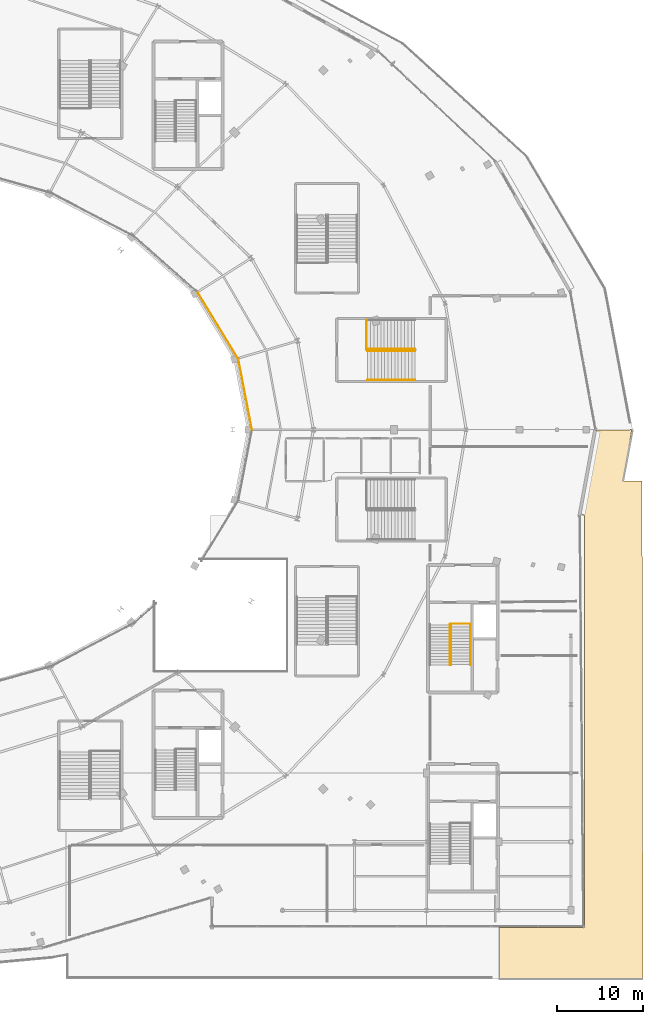
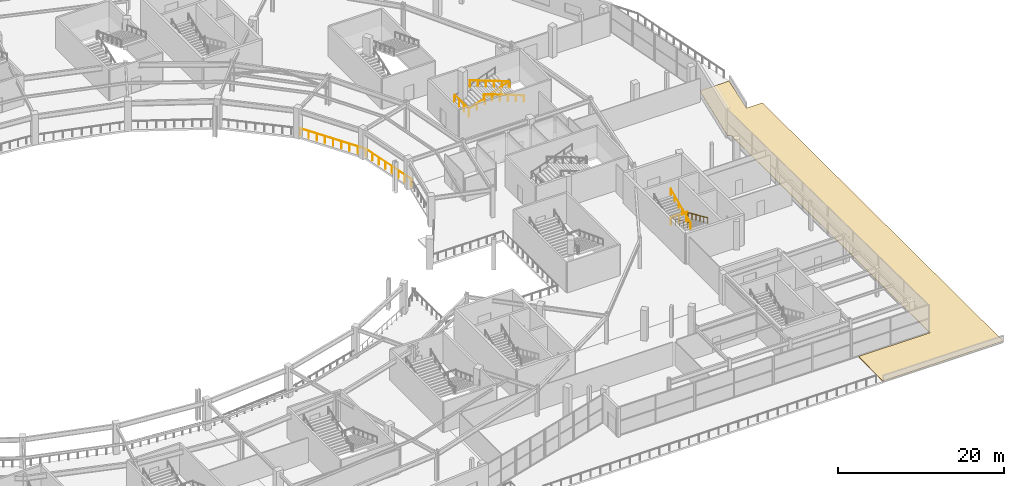
# One storey, part 105 of 107: 10 railings, 1 covering.
"""IFC4 building model written with IfcOpenShell, lengths in metres."""

from ifc_helpers import new_model, si_unit, direction, frame, origin, origin_2d, place, context, subcontext, project, spatial, polyline, circle, outline, extrude, material, layer, layer_set, type_object, element, save


model = new_model("IFC4")

# Units and contexts
model_context = context("Model", 3, precision=1e-05, world=origin(), true_north=direction((0.0, 1.0)))
body_context = subcontext(model_context, "Body", "Model", "MODEL_VIEW")
ifc_project = project(units=[si_unit("LENGTHUNIT", "METRE"), si_unit("AREAUNIT", "SQUARE_METRE"), si_unit("VOLUMEUNIT", "CUBIC_METRE"), si_unit("PLANEANGLEUNIT", "RADIAN"), si_unit("MASSUNIT", "GRAM", prefix="KILO")], contexts=[model_context])

# Site, building, storey
site_placement = place(None, origin())
site = spatial("IfcSite", under=ifc_project, at=site_placement, CompositionType="ELEMENT")
building_placement = place(site_placement, origin())
building = spatial("IfcBuilding", under=site, at=building_placement, Name="Kalgoora Escarpment Arena", CompositionType="ELEMENT")
storey_placement = place(building_placement, frame((0.0, 0.0, 5.39990234375)))
storey = spatial("IfcBuildingStorey", under=building, at=storey_placement, Name="L01", CompositionType="ELEMENT", Elevation=5.39990234375)

# Covering
ifc_material_1 = material(Name="Waterproof ballast roofing membrane")
ifc_layer = layer(ifc_material_1, 0.06005859375)
ifc_layer_set = layer_set([ifc_layer], Name="COV-ROOF-POD")
covering_type = type_object("IfcCoveringType", Name="COV-ROOF-POD", PredefinedType="ROOFING", material=ifc_layer_set)
covering_placement = place(storey_placement, origin())
element("IfcCovering", 1, at=covering_placement, inside=storey, type_object=covering_type, Name="L01 stepped podium roof membrane 1", PredefinedType="ROOFING", context=body_context, shape_type="SweptSolid", body=[
    extrude(outline(polyline([(178.0, 6.0), (178.0, 53.99755859375), (177.590576171875, 54.1083984375), (179.399658203125, 63.95458984375), (183.4892578125, 63.99951171875), (182.470947265625, 58.0), (184.699951171875, 58.0), (184.798095703125, 0.08056640625), (168.01171875, 0.052978515625), (168.052978515625, 5.98828125), (178.0, 6.0)])), origin(), (0.0, 0.0, 1.0), 0.06005859375),
])

# Railings
ifc_material_2 = material(Name="Galvanised & powdercoated tubular steel", Category="steel")
railing_type_1 = type_object("IfcRailingType", Name="RAL-GUARD-1120", PredefinedType="GUARDRAIL", material=ifc_material_2)
railing_1_placement = place(storey_placement, frame((164.68994140625, 41.389892578125, 0.0)))
element("IfcRailing", 2, at=railing_1_placement, inside=storey, type_object=railing_type_1, Name="ST07 L01 floor landing well guard", PredefinedType="GUARDRAIL", context=body_context, shape_type="SweptSolid", body=[
    extrude(circle(Radius=0.02392578125, at=origin_2d()), frame((0.0, 0.0, 1.09619140625), z_axis=(-1.0, 0.0, 0.0), x_axis=(0.0, -1.0, 0.0)), (0.0, 0.0, 1.0), 2.33984375),
    extrude(circle(Radius=0.02099609375, at=origin_2d()), origin(), (0.0, 0.0, 1.0), 1.072021484375),
    extrude(circle(Radius=0.02099609375, at=origin_2d()), frame((-1.169921875, 0.0, 0.0)), (0.0, 0.0, 1.0), 1.072021484375),
    extrude(circle(Radius=0.02099609375, at=origin_2d()), frame((-2.33984375, 0.0, 0.0)), (0.0, 0.0, 1.0), 1.072021484375),
])
railing_2_placement = place(storey_placement, frame((152.610107421875, 76.7900390625, 0.0)))
element("IfcRailing", 3, at=railing_2_placement, inside=storey, type_object=railing_type_1, Name="ST21 L01 floor landing well guard", PredefinedType="GUARDRAIL", context=body_context, shape_type="SweptSolid", body=[
    extrude(circle(Radius=0.02392578125, at=origin_2d()), frame((0.0, 0.0, 1.09619140625), z_axis=(0.0, -1.0, 0.0), x_axis=(1.0, 0.0, 0.0)), (0.0, 0.0, 1.0), 3.489990234375),
    extrude(circle(Radius=0.02099609375, at=origin_2d()), origin(), (0.0, 0.0, 1.0), 1.072021484375),
    extrude(circle(Radius=0.02099609375, at=origin_2d()), frame((0.0, -1.163330078125, 0.0)), (0.0, 0.0, 1.0), 1.072021484375),
    extrude(circle(Radius=0.02099609375, at=origin_2d()), frame((0.0, -2.32666015625, 0.0)), (0.0, 0.0, 1.0), 1.072021484375),
    extrude(circle(Radius=0.02099609375, at=origin_2d()), frame((0.0, -3.489990234375, 0.0)), (0.0, 0.0, 1.0), 1.072021484375),
])
railing_3_placement = place(storey_placement, frame((139.25, 64.0, 0.0)))
element("IfcRailing", 4, at=railing_3_placement, inside=storey, type_object=railing_type_1, Name="L01 concourse bowl balustrade 01", PredefinedType="GUARDRAIL", context=body_context, shape_type="SweptSolid", body=[
    extrude(circle(Radius=0.02392578125, at=origin_2d()), frame((0.0, 0.0, 1.09619140625), z_axis=(-0.190129490405, 0.981759021796, 0.0), x_axis=(-0.981759021796, -0.190129490405, 0.0)), (0.0, 0.0, 1.0), 8.396484375),
    extrude(circle(Radius=0.02099609375, at=origin_2d()), origin(), (0.0, 0.0, 1.0), 1.072021484375),
    extrude(circle(Radius=0.02099609375, at=origin_2d()), frame((-0.22802734375, 1.177734375, 0.0)), (0.0, 0.0, 1.0), 1.072021484375),
    extrude(circle(Radius=0.02099609375, at=origin_2d()), frame((-0.4560546875, 2.355224609375, 0.0)), (0.0, 0.0, 1.0), 1.072021484375),
    extrude(circle(Radius=0.02099609375, at=origin_2d()), frame((-0.68408203125, 3.532958984375, 0.0)), (0.0, 0.0, 1.0), 1.072021484375),
    extrude(circle(Radius=0.02099609375, at=origin_2d()), frame((-0.912353515625, 4.71044921875, 0.0)), (0.0, 0.0, 1.0), 1.072021484375),
    extrude(circle(Radius=0.02099609375, at=origin_2d()), frame((-1.140380859375, 5.88818359375, 0.0)), (0.0, 0.0, 1.0), 1.072021484375),
    extrude(circle(Radius=0.02099609375, at=origin_2d()), frame((-1.368408203125, 7.065673828125, 0.0)), (0.0, 0.0, 1.0), 1.072021484375),
    extrude(circle(Radius=0.02099609375, at=origin_2d()), frame((-1.596435546875, 8.243408203125, 0.0)), (0.0, 0.0, 1.0), 1.072021484375),
])
railing_4_placement = place(storey_placement, frame((137.653564453125, 72.243408203125, 0.0)))
element("IfcRailing", 5, at=railing_4_placement, inside=storey, type_object=railing_type_1, Name="L01 concourse bowl balustrade 02", PredefinedType="GUARDRAIL", context=body_context, shape_type="SweptSolid", body=[
    extrude(circle(Radius=0.02392578125, at=origin_2d()), frame((0.0, 0.0, 1.09619140625), z_axis=(-0.520303373026, 0.853981498639, 0.0), x_axis=(-0.853981498639, -0.520303373026, 0.0)), (0.0, 0.0, 1.0), 8.9951171875),
    extrude(circle(Radius=0.02099609375, at=origin_2d()), origin(), (0.0, 0.0, 1.0), 1.072021484375),
    extrude(circle(Radius=0.02099609375, at=origin_2d()), frame((-0.5849609375, 0.960205078125, 0.0)), (0.0, 0.0, 1.0), 1.072021484375),
    extrude(circle(Radius=0.02099609375, at=origin_2d()), frame((-1.169921875, 1.92041015625, 0.0)), (0.0, 0.0, 1.0), 1.072021484375),
    extrude(circle(Radius=0.02099609375, at=origin_2d()), frame((-1.755126953125, 2.880615234375, 0.0)), (0.0, 0.0, 1.0), 1.072021484375),
    extrude(circle(Radius=0.02099609375, at=origin_2d()), frame((-2.340087890625, 3.8408203125, 0.0)), (0.0, 0.0, 1.0), 1.072021484375),
    extrude(circle(Radius=0.02099609375, at=origin_2d()), frame((-2.925048828125, 4.801025390625, 0.0)), (0.0, 0.0, 1.0), 1.072021484375),
    extrude(circle(Radius=0.02099609375, at=origin_2d()), frame((-3.51025390625, 5.76123046875, 0.0)), (0.0, 0.0, 1.0), 1.072021484375),
    extrude(circle(Radius=0.02099609375, at=origin_2d()), frame((-4.09521484375, 6.721435546875, 0.0)), (0.0, 0.0, 1.0), 1.072021484375),
    extrude(circle(Radius=0.02099609375, at=origin_2d()), frame((-4.68017578125, 7.681640625, 0.0)), (0.0, 0.0, 1.0), 1.072021484375),
])
ifc_material_3 = material(Name="Brushed stainless steel 316 handrail", Category="steel")
railing_type_2 = type_object("IfcRailingType", Name="RAL-HAND-920", PredefinedType="HANDRAIL", material=ifc_material_3)
for number, where, name in (
    (6, (164.699951171875, 41.31005859375, 0.110107421875), "ST07 L01 pitched stair handrail F1L"),
    (7, (162.409912109375, 41.31005859375, 0.110107421875), "ST07 L01 pitched stair handrail F1R"),
):
    element("IfcRailing", number, at=place(storey_placement, frame(where)), inside=storey, type_object=railing_type_2, Name=name, PredefinedType="HANDRAIL", context=body_context, shape_type="SweptSolid", body=[
        extrude(circle(Radius=0.02392578125, at=origin_2d()), frame((0.0, 0.0, 0.89599609375), z_axis=(0.0, -0.913643874524, 0.406515523129), x_axis=(1.0, 0.0, 0.0)), (0.0, 0.0, 1.0), 5.166015625),
        extrude(circle(Radius=0.02099609375, at=origin_2d()), origin(), (0.0, 0.0, 1.0), 0.871826171875),
        extrude(circle(Radius=0.02099609375, at=origin_2d()), frame((0.0, -0.944091796875, 0.419921875)), (0.0, 0.0, 1.0), 0.871826171875),
        extrude(circle(Radius=0.02099609375, at=origin_2d()), frame((0.0, -1.887939453125, 0.840087890625)), (0.0, 0.0, 1.0), 0.871826171875),
        extrude(circle(Radius=0.02099609375, at=origin_2d()), frame((0.0, -2.83203125, 1.260009765625)), (0.0, 0.0, 1.0), 0.871826171875),
        extrude(circle(Radius=0.02099609375, at=origin_2d()), frame((0.0, -3.77587890625, 1.68017578125)), (0.0, 0.0, 1.0), 0.871826171875),
        extrude(circle(Radius=0.02099609375, at=origin_2d()), frame((0.0, -4.719970703125, 2.10009765625)), (0.0, 0.0, 1.0), 0.871826171875),
    ])
railing_5_placement = place(storey_placement, frame((162.2900390625, 36.590087890625, 2.360107421875)))
element("IfcRailing", 8, at=railing_5_placement, inside=storey, type_object=railing_type_2, Name="ST07 L01 pitched stair handrail F2L", PredefinedType="HANDRAIL", context=body_context, shape_type="SweptSolid", body=[
    extrude(circle(Radius=0.02392578125, at=origin_2d()), frame((0.0, 0.0, 0.89599609375), z_axis=(0.0, 0.913643874524, 0.406515523129), x_axis=(-1.0, 0.0, 0.0)), (0.0, 0.0, 1.0), 5.166015625),
    extrude(circle(Radius=0.02099609375, at=origin_2d()), origin(), (0.0, 0.0, 1.0), 0.871826171875),
    extrude(circle(Radius=0.02099609375, at=origin_2d()), frame((0.0, 0.944091796875, 0.419921875)), (0.0, 0.0, 1.0), 0.871826171875),
    extrude(circle(Radius=0.02099609375, at=origin_2d()), frame((0.0, 1.887939453125, 0.840087890625)), (0.0, 0.0, 1.0), 0.871826171875),
    extrude(circle(Radius=0.02099609375, at=origin_2d()), frame((0.0, 2.83203125, 1.260009765625)), (0.0, 0.0, 1.0), 0.871826171875),
    extrude(circle(Radius=0.02099609375, at=origin_2d()), frame((0.0, 3.77587890625, 1.68017578125)), (0.0, 0.0, 1.0), 0.871826171875),
    extrude(circle(Radius=0.02099609375, at=origin_2d()), frame((0.0, 4.719970703125, 2.10009765625)), (0.0, 0.0, 1.0), 0.871826171875),
])
railing_6_placement = place(storey_placement, frame((152.68994140625, 73.4150390625, 0.110107421875)))
element("IfcRailing", 9, at=railing_6_placement, inside=storey, type_object=railing_type_2, Name="ST21 L01 pitched stair handrail F1R", PredefinedType="HANDRAIL", context=body_context, shape_type="SweptSolid", body=[
    extrude(circle(Radius=0.02392578125, at=origin_2d()), frame((0.0, 0.0, 0.89599609375), z_axis=(0.935492612948, 0.0, 0.353346248203), x_axis=(0.0, 1.0, 0.0)), (0.0, 0.0, 1.0), 5.943359375),
    extrude(circle(Radius=0.02099609375, at=origin_2d()), origin(), (0.0, 0.0, 1.0), 0.871826171875),
    extrude(circle(Radius=0.02099609375, at=origin_2d()), frame((1.112060546875, 0.0, 0.419921875)), (0.0, 0.0, 1.0), 0.871826171875),
    extrude(circle(Radius=0.02099609375, at=origin_2d()), frame((2.22412109375, 0.0, 0.840087890625)), (0.0, 0.0, 1.0), 0.871826171875),
    extrude(circle(Radius=0.02099609375, at=origin_2d()), frame((3.3359375, 0.0, 1.260009765625)), (0.0, 0.0, 1.0), 0.871826171875),
    extrude(circle(Radius=0.02099609375, at=origin_2d()), frame((4.447998046875, 0.0, 1.68017578125)), (0.0, 0.0, 1.0), 0.871826171875),
    extrude(circle(Radius=0.02099609375, at=origin_2d()), frame((5.56005859375, 0.0, 2.10009765625)), (0.0, 0.0, 1.0), 0.871826171875),
])
for number, where, name in (
    (10, (158.25, 73.18505859375, 2.360107421875), "ST21 L01 pitched stair handrail F2L"),
    (11, (158.25, 69.800048828125, 2.360107421875), "ST21 L01 pitched stair handrail F2R"),
):
    element("IfcRailing", number, at=place(storey_placement, frame(where)), inside=storey, type_object=railing_type_2, Name=name, PredefinedType="HANDRAIL", context=body_context, shape_type="SweptSolid", body=[
        extrude(circle(Radius=0.02392578125, at=origin_2d()), frame((0.0, 0.0, 0.89599609375), z_axis=(-0.935492612948, 0.0, 0.353346248203), x_axis=(0.0, -1.0, 0.0)), (0.0, 0.0, 1.0), 5.943359375),
        extrude(circle(Radius=0.02099609375, at=origin_2d()), origin(), (0.0, 0.0, 1.0), 0.871826171875),
        extrude(circle(Radius=0.02099609375, at=origin_2d()), frame((-1.112060546875, 0.0, 0.419921875)), (0.0, 0.0, 1.0), 0.871826171875),
        extrude(circle(Radius=0.02099609375, at=origin_2d()), frame((-2.22412109375, 0.0, 0.840087890625)), (0.0, 0.0, 1.0), 0.871826171875),
        extrude(circle(Radius=0.02099609375, at=origin_2d()), frame((-3.3359375, 0.0, 1.260009765625)), (0.0, 0.0, 1.0), 0.871826171875),
        extrude(circle(Radius=0.02099609375, at=origin_2d()), frame((-4.447998046875, 0.0, 1.68017578125)), (0.0, 0.0, 1.0), 0.871826171875),
        extrude(circle(Radius=0.02099609375, at=origin_2d()), frame((-5.56005859375, 0.0, 2.10009765625)), (0.0, 0.0, 1.0), 0.871826171875),
    ])

save(model, "model.ifc")
